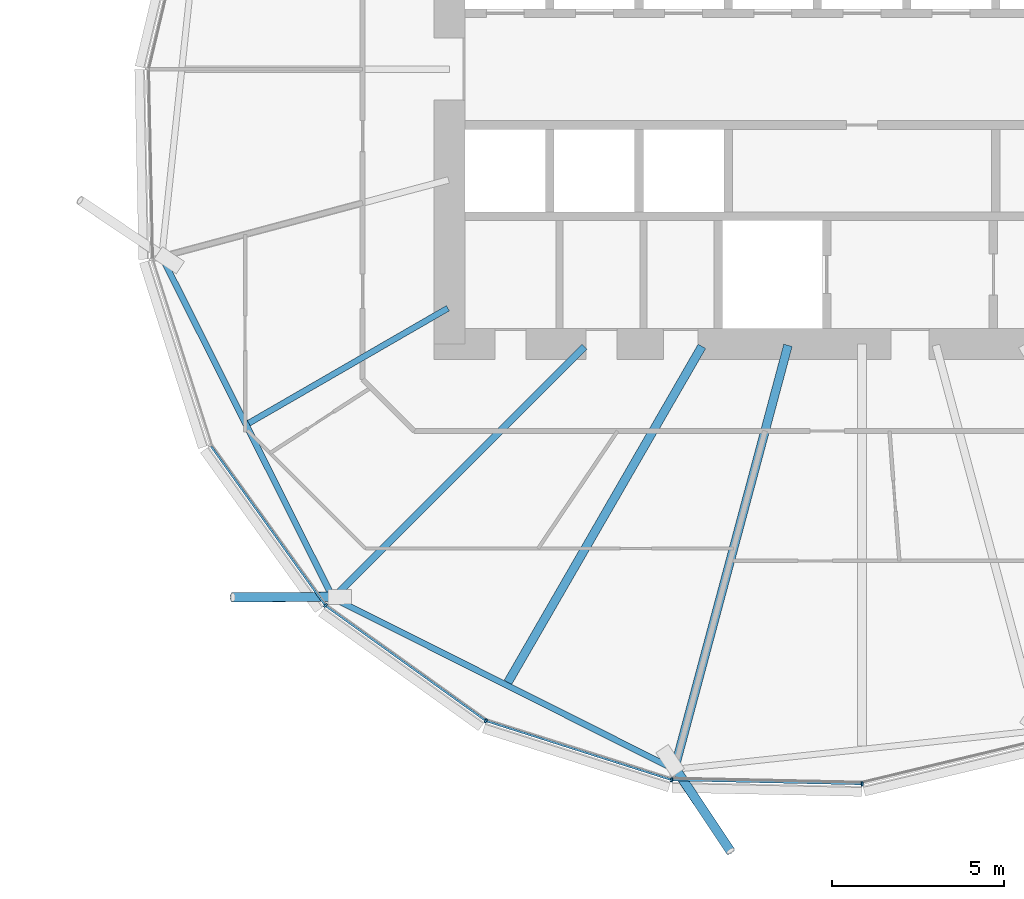
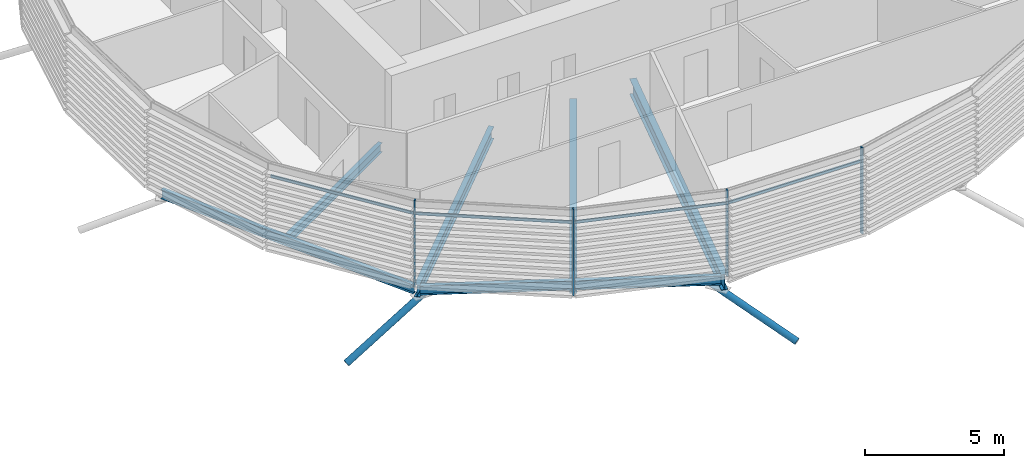
# One storey, part 12 of 36: 10 members, 6 beams, 1 element without a shape of its own.
"""IFC4 building model written with IfcOpenShell, lengths in metres."""

from ifc_helpers import new_model, si_unit, direction, frame, origin, origin_2d, place, context, subcontext, project, spatial, rectangle, hollow_circle, i_section, extrude, clip, halfspace, material, material_profile, profile_set, type_object, element, aggregate, save


model = new_model("IFC4")

# Units and contexts
model_context = context("Model", 3, precision=1e-05, world=origin(), true_north=direction((0.0, 1.0)))
body_context = subcontext(model_context, "Body", "Model", "MODEL_VIEW")
ifc_project = project(units=[si_unit("LENGTHUNIT", "METRE"), si_unit("AREAUNIT", "SQUARE_METRE"), si_unit("VOLUMEUNIT", "CUBIC_METRE"), si_unit("PLANEANGLEUNIT", "RADIAN"), si_unit("MASSUNIT", "GRAM", prefix="KILO")], contexts=[model_context])

# Site, building, storey
site_placement = place(None, origin())
site = spatial("IfcSite", under=ifc_project, at=site_placement, CompositionType="ELEMENT")
building_placement = place(site_placement, origin())
building = spatial("IfcBuilding", under=site, at=building_placement, Name="Rimbun Link Towers", CompositionType="ELEMENT")
storey_placement = place(building_placement, frame((0.0, 0.0, 37.60009765625)))
storey = spatial("IfcBuildingStorey", under=building, at=storey_placement, Name="L08", CompositionType="ELEMENT", Elevation=37.60009765625)

# Curtain wall, members
ifc_material_1 = material(Name="Aluminium 6063-T6 and low-iron glass", Category="aluminium")
curtain_wall_type = type_object("IfcCurtainWallType", Name="CW1 unitised vision wall", PredefinedType="NOTDEFINED", material=ifc_material_1)
curtain_wall_placement = place(storey_placement, origin())
curtain_wall = element("IfcCurtainWall", 1, at=curtain_wall_placement, inside=storey, type_object=curtain_wall_type, Name="CW1 L08 T2", PredefinedType="NOTDEFINED")
ifc_material_2 = material(Name="Aluminium 6063-T6", Category="aluminium")
ifc_material_profile_1 = material_profile(ifc_material_2, rectangle(XDim=0.1201171875, YDim=0.06005859375, at=origin_2d()), Name="MULLION 60X120")
ifc_profile_set_1 = profile_set([ifc_material_profile_1], Name="Aluminium 6063-T6")
member_type_1 = type_object("IfcMemberType", Name="CW1 mullion 60X120", PredefinedType="MULLION", material=ifc_profile_set_1)
member_1_placement = place(storey_placement, frame((16.142333984375, -15.607666015625, 0.0), z_axis=(0.0, 0.0, 1.0), x_axis=(-0.707106781187, -0.707106781187, 0.0)))
member_1 = element("IfcMember", 2, at=member_1_placement, type_object=member_type_1, Name="CW1 mullion", PredefinedType="MULLION", context=body_context, shape_type="SweptSolid", body=[
    extrude(rectangle(XDim=0.1201171875, YDim=0.06005859375, at=origin_2d()), origin(), (0.0, 0.0, 1.0), 3.7998046875),
])
member_2_placement = place(storey_placement, frame((20.809326171875, -18.956787109375, 0.0), z_axis=(0.0, 0.0, 1.0), x_axis=(-0.448570450665, -0.893747475963, 0.0)))
member_2 = element("IfcMember", 3, at=member_2_placement, type_object=member_type_1, Name="CW1 mullion", PredefinedType="MULLION", context=body_context, shape_type="SweptSolid", body=[
    extrude(rectangle(XDim=0.1201171875, YDim=0.06005859375, at=origin_2d()), origin(), (0.0, 0.0, 1.0), 3.7998046875),
])
member_3_placement = place(storey_placement, frame((26.2158203125, -20.67626953125, 0.0), z_axis=(0.0, 0.0, 1.0), x_axis=(-0.163751148004, -0.986501678421, 0.0)))
member_3 = element("IfcMember", 4, at=member_3_placement, type_object=member_type_1, Name="CW1 mullion", PredefinedType="MULLION", context=body_context, shape_type="SweptSolid", body=[
    extrude(rectangle(XDim=0.1201171875, YDim=0.06005859375, at=origin_2d()), origin(), (0.0, 0.0, 1.0), 3.7998046875),
])
member_4_placement = place(storey_placement, frame((31.75634765625, -20.793212890625, 0.0), z_axis=(0.0, 0.0, 1.0), x_axis=(0.106644689088, -0.994297194147, 0.0)))
member_4 = element("IfcMember", 5, at=member_4_placement, type_object=member_type_1, Name="CW1 mullion", PredefinedType="MULLION", context=body_context, shape_type="SweptSolid", body=[
    extrude(rectangle(XDim=0.1201171875, YDim=0.06005859375, at=origin_2d()), origin(), (0.0, 0.0, 1.0), 3.7998046875),
])
ifc_material_3 = material(Name="Aluminium 6063-T6", Category="aluminium")
ifc_material_profile_2 = material_profile(ifc_material_3, rectangle(XDim=0.06005859375, YDim=0.1201171875, at=origin_2d()), Name="TRANSOM 60X120")
ifc_profile_set_2 = profile_set([ifc_material_profile_2], Name="Aluminium 6063-T6")
member_type_2 = type_object("IfcMemberType", Name="CW1 transom 60X120", PredefinedType="USERDEFINED", material=ifc_profile_set_2)
member_5_placement = place(storey_placement, frame((16.1201171875, -15.57470703125, 3.199951171875), z_axis=(-0.582993847741, 0.812476567967, 0.0), x_axis=(-0.812476567967, -0.582993847741, 0.0)))
member_5 = element("IfcMember", 6, at=member_5_placement, type_object=member_type_2, Name="CW1 transom", ObjectType="TRANSOM", PredefinedType="USERDEFINED", context=body_context, shape_type="SweptSolid", body=[
    extrude(rectangle(XDim=0.06005859375, YDim=0.1201171875, at=origin_2d()), origin(), (0.0, 0.0, 1.0), 5.6650390625),
])
member_6_placement = place(storey_placement, frame((20.778076171875, -18.9326171875, 3.199951171875), z_axis=(-0.812476567967, 0.582993847741, 0.0), x_axis=(-0.582993847741, -0.812476567967, 0.0)))
member_6 = element("IfcMember", 7, at=member_6_placement, type_object=member_type_2, Name="CW1 transom", ObjectType="TRANSOM", PredefinedType="USERDEFINED", context=body_context, shape_type="SweptSolid", body=[
    extrude(rectangle(XDim=0.06005859375, YDim=0.1201171875, at=origin_2d()), origin(), (0.0, 0.0, 1.0), 5.6650390625),
])
member_7_placement = place(storey_placement, frame((26.179443359375, -20.663330078125, 3.199951171875), z_axis=(-0.952964739769, 0.303081185093, 0.0), x_axis=(-0.303081185093, -0.952964739769, 0.0)))
member_7 = element("IfcMember", 8, at=member_7_placement, type_object=member_type_2, Name="CW1 transom", ObjectType="TRANSOM", PredefinedType="USERDEFINED", context=body_context, shape_type="SweptSolid", body=[
    extrude(rectangle(XDim=0.06005859375, YDim=0.1201171875, at=origin_2d()), origin(), (0.0, 0.0, 1.0), 5.59521484375),
])
member_8_placement = place(storey_placement, frame((31.71875, -20.790771484375, 3.199951171875), z_axis=(-0.999778654945, 0.021039037909, 0.0), x_axis=(-0.021039037909, -0.999778654945, 0.0)))
member_8 = element("IfcMember", 9, at=member_8_placement, type_object=member_type_2, Name="CW1 transom", ObjectType="TRANSOM", PredefinedType="USERDEFINED", context=body_context, shape_type="SweptSolid", body=[
    extrude(rectangle(XDim=0.06005859375, YDim=0.1201171875, at=origin_2d()), origin(), (0.0, 0.0, 1.0), 5.465576171875),
])
aggregate(curtain_wall, [member_1, member_2, member_3, member_4, member_5, member_6, member_7, member_8])

# Members
ifc_material_4 = material(Name="Steel S355J2H", Category="steel")
ifc_material_profile_3 = material_profile(ifc_material_4, hollow_circle(Radius=0.136474609375, WallThickness=0.012451171875, at=origin_2d()), Name="CHS 273x12.5")
ifc_profile_set_3 = profile_set([ifc_material_profile_3], Name="Steel S355J2H")
member_type_3 = type_object("IfcMemberType", Name="Floor edge link CHS 273x12.5", PredefinedType="BRACE", material=ifc_profile_set_3)
member_9_placement = place(storey_placement, frame((16.399169921875, -15.350830078125, -0.810302734375), z_axis=(-0.855853235269, -0.003665626244, -0.517205764531), x_axis=(0.004282968706, -0.999990828047, 0.0)))
element("IfcMember", 10, at=member_9_placement, inside=storey, type_object=member_type_3, Name="Floor edge link T2 L08 12", PredefinedType="BRACE", context=body_context, shape_type="Clipping", body=[
    clip(extrude(hollow_circle(Radius=0.136474609375, WallThickness=0.012451171875, at=origin_2d()), frame((0.0, 0.0, -0.470947265625)), (0.0, 0.0, 1.0), 3.934326171875), halfspace(frame((0.0, 0.0, -0.22265625), z_axis=(0.0, 0.855861085186, -0.517205764531)), False)),
])
member_10_placement = place(storey_placement, frame((26.30517578125, -20.3203125, -0.968994140625), z_axis=(0.509544796341, -0.763246400884, -0.397264435935), x_axis=(0.831691099181, 0.555238611358, 0.0)))
element("IfcMember", 11, at=member_10_placement, inside=storey, type_object=member_type_3, Name="Floor edge link T2 L08 14", PredefinedType="BRACE", context=body_context, shape_type="Clipping", body=[
    clip(extrude(hollow_circle(Radius=0.136474609375, WallThickness=0.012451171875, at=origin_2d()), frame((0.0, 0.0, -0.656005859375)), (0.0, 0.0, 1.0), 3.847900390625), halfspace(frame((0.0, 0.0, -0.310546875), z_axis=(0.0, 0.917704183243, -0.397264435935)), False)),
])

# Beams
ifc_material_5 = material(Name="Steel S355J2", Category="steel")
ifc_material_profile_4 = material_profile(ifc_material_5, i_section(OverallWidth=0.177978515625, OverallDepth=0.406494140625, WebThickness=0.0078125, FlangeThickness=0.0126953125, at=origin_2d()), Name="UB 406x178x60")
ifc_profile_set_4 = profile_set([ifc_material_profile_4], Name="Steel S355J2")
beam_type_1 = type_object("IfcBeamType", Name="UB 406x178x60", PredefinedType="BEAM", material=ifc_profile_set_4)
beam_1_placement = place(storey_placement, frame((19.70458984375, -6.954345703125, -0.36328125), z_axis=(-0.866015402684, -0.500017322015, 0.0), x_axis=(0.500017322015, -0.866015402684, 0.0)))
element("IfcBeam", 12, at=beam_1_placement, inside=storey, type_object=beam_type_1, Name="Radial beam T2 L08 11", PredefinedType="BEAM", context=body_context, shape_type="SweptSolid", body=[
    extrude(i_section(OverallWidth=0.177978515625, OverallDepth=0.406494140625, WebThickness=0.0078125, FlangeThickness=0.0126953125, at=origin_2d()), origin(), (0.0, 0.0, 1.0), 6.689208984375),
])
beam_2_placement = place(storey_placement, frame((11.425537109375, -5.54541015625, -0.36328125), z_axis=(0.448521294945, -0.893772145449, 0.0), x_axis=(0.893772145449, 0.448521294945, 0.0)))
element("IfcBeam", 13, at=beam_2_placement, inside=storey, type_object=beam_type_1, Name="Edge beam T2 L08 10-12", PredefinedType="BEAM", context=body_context, shape_type="SweptSolid", body=[
    extrude(i_section(OverallWidth=0.177978515625, OverallDepth=0.406494140625, WebThickness=0.0078125, FlangeThickness=0.0126953125, at=origin_2d()), origin(), (0.0, 0.0, 1.0), 10.89892578125),
])
beam_3_placement = place(storey_placement, frame((16.46337890625, -15.43603515625, -0.36328125), z_axis=(0.893774687832, -0.448516228682, 0.0), x_axis=(0.448516228682, 0.893774687832, 0.0)))
element("IfcBeam", 14, at=beam_3_placement, inside=storey, type_object=beam_type_1, Name="Edge beam T2 L08 12-14", PredefinedType="BEAM", context=body_context, shape_type="SweptSolid", body=[
    extrude(i_section(OverallWidth=0.177978515625, OverallDepth=0.406494140625, WebThickness=0.0078125, FlangeThickness=0.0126953125, at=origin_2d()), origin(), (0.0, 0.0, 1.0), 10.866455078125),
])
ifc_material_6 = material(Name="Steel S355J2", Category="steel")
ifc_material_profile_5 = material_profile(ifc_material_6, i_section(OverallWidth=0.209228515625, OverallDepth=0.533203125, WebThickness=0.010009765625, FlangeThickness=0.015625, at=origin_2d()), Name="UB 533x210x92")
ifc_profile_set_5 = profile_set([ifc_material_profile_5], Name="Steel S355J2")
beam_type_2 = type_object("IfcBeamType", Name="UB 533x210x92", PredefinedType="BEAM", material=ifc_profile_set_5)
beam_4_placement = place(storey_placement, frame((23.67529296875, -8.07470703125, -0.426513671875), z_axis=(-0.707106781187, -0.707106781187, 0.0), x_axis=(0.707106781187, -0.707106781187, 0.0)))
element("IfcBeam", 15, at=beam_4_placement, inside=storey, type_object=beam_type_2, Name="Radial beam T2 L08 12", PredefinedType="BEAM", context=body_context, shape_type="SweptSolid", body=[
    extrude(i_section(OverallWidth=0.209228515625, OverallDepth=0.533203125, WebThickness=0.010009765625, FlangeThickness=0.015625, at=origin_2d()), origin(), (0.0, 0.0, 1.0), 10.339599609375),
])
ifc_material_7 = material(Name="Steel S355J2", Category="steel")
ifc_material_profile_6 = material_profile(ifc_material_7, i_section(OverallWidth=0.253662109375, OverallDepth=0.68359375, WebThickness=0.012451171875, FlangeThickness=0.01904296875, at=origin_2d()), Name="UB 686x254x140")
ifc_profile_set_6 = profile_set([ifc_material_profile_6], Name="Steel S355J2")
beam_type_3 = type_object("IfcBeamType", Name="UB 686x254x140", PredefinedType="BEAM", material=ifc_profile_set_6)
beam_5_placement = place(storey_placement, frame((27.093994140625, -8.064208984375, -0.501708984375), z_axis=(-0.499996462765, -0.866027445998, 0.0), x_axis=(0.866027445998, -0.499996462765, 0.0)))
element("IfcBeam", 16, at=beam_5_placement, inside=storey, type_object=beam_type_3, Name="Radial beam T2 L08 13", PredefinedType="BEAM", context=body_context, shape_type="SweptSolid", body=[
    extrude(i_section(OverallWidth=0.253662109375, OverallDepth=0.68359375, WebThickness=0.012451171875, FlangeThickness=0.01904296875, at=origin_2d()), origin(), (0.0, 0.0, 1.0), 11.2861328125),
])
beam_6_placement = place(storey_placement, frame((29.597412109375, -8.03369140625, -0.501708984375), z_axis=(-0.258826232852, -0.965923900309, 0.0), x_axis=(0.965923900309, -0.258826232852, 0.0)))
element("IfcBeam", 17, at=beam_6_placement, inside=storey, type_object=beam_type_3, Name="Radial beam T2 L08 14", PredefinedType="BEAM", context=body_context, shape_type="SweptSolid", body=[
    extrude(i_section(OverallWidth=0.253662109375, OverallDepth=0.68359375, WebThickness=0.012451171875, FlangeThickness=0.01904296875, at=origin_2d()), origin(), (0.0, 0.0, 1.0), 12.769775390625),
])

save(model, "model.ifc")
